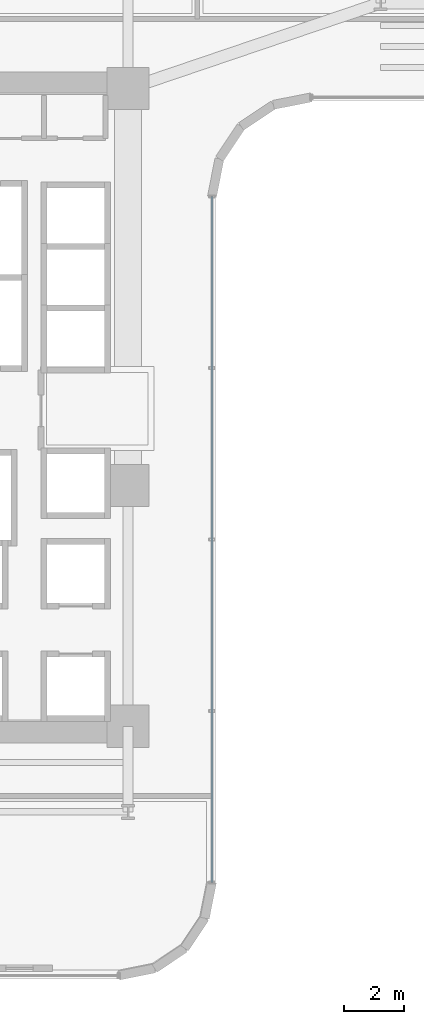
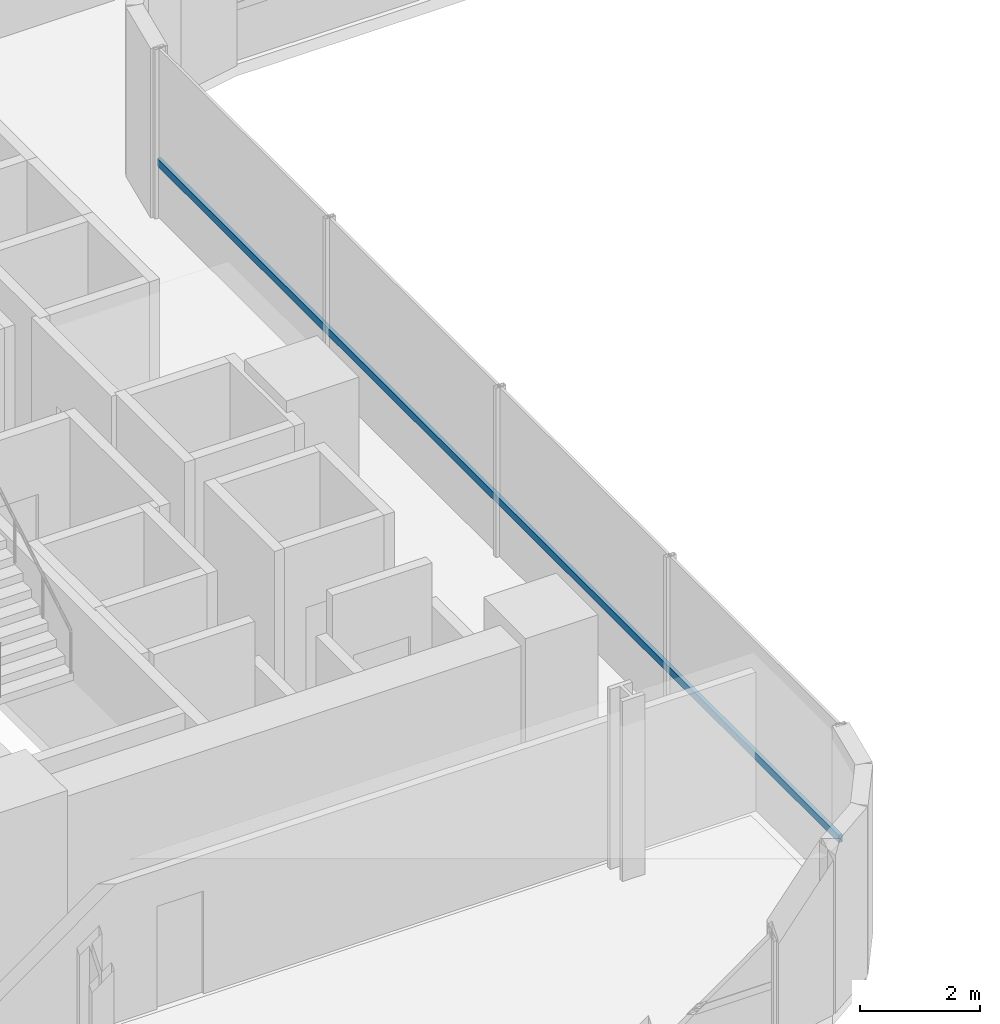
# One storey, part 7 of 39: 1 member, 1 element without a shape of its own.
"""IFC4 building model written with IfcOpenShell, lengths in metres."""

from ifc_helpers import new_model, si_unit, direction, frame, origin, origin_2d, place, context, subcontext, project, spatial, hollow_rectangle, extrude, source, transform, mapped, material, material_profile, profile_set, type_object, element, aggregate, save


model = new_model("IFC4")

# Units and contexts
model_context = context("Model", 3, precision=1e-05, world=origin(), true_north=direction((0.0, 1.0)))
body_context = subcontext(model_context, "Body", "Model", "MODEL_VIEW")
ifc_project = project(units=[si_unit("LENGTHUNIT", "METRE"), si_unit("AREAUNIT", "SQUARE_METRE"), si_unit("VOLUMEUNIT", "CUBIC_METRE"), si_unit("PLANEANGLEUNIT", "RADIAN"), si_unit("MASSUNIT", "GRAM", prefix="KILO")], contexts=[model_context])

# Site, building, storey
site_placement = place(None, origin())
site = spatial("IfcSite", under=ifc_project, at=site_placement, CompositionType="ELEMENT")
building_placement = place(site_placement, origin())
building = spatial("IfcBuilding", under=site, at=building_placement, Name="Valdorenza Pilgrim Sanctuary Tower", CompositionType="ELEMENT")
storey_placement = place(building_placement, frame((0.0, 0.0, 70.39990234375)))
storey = spatial("IfcBuildingStorey", under=building, at=storey_placement, Name="L17", CompositionType="ELEMENT", Elevation=70.39990234375)

# Curtain wall, member
ifc_material_1 = material(Name="Curtain-wall IGU glazing", Category="glass")
curtain_wall_type = type_object("IfcCurtainWallType", Name="CW-SYS-02", PredefinedType="NOTDEFINED", material=ifc_material_1)
curtain_wall_placement = place(storey_placement, origin())
curtain_wall = element("IfcCurtainWall", 1, at=curtain_wall_placement, inside=storey, type_object=curtain_wall_type, Name="L17 Curtain Wall CW-L17-1-41", PredefinedType="NOTDEFINED")
ifc_material_2 = material(Name="Anodised aluminium AW-6060", Category="aluminium")
ifc_material_profile = material_profile(ifc_material_2, hollow_rectangle(XDim=0.074951171875, YDim=0.14990234375, WallThickness=0.00390625, at=origin_2d()), Name="ALU-T 150x75x4")
ifc_profile_set = profile_set([ifc_material_profile], Name="Anodised aluminium AW-6060")
member_type = type_object("IfcMemberType", Name="CW-TRN-02", PredefinedType="USERDEFINED", material=ifc_profile_set)
shared_shape = source(origin(), body_context, "Body", "SweptSolid", [
    extrude(hollow_rectangle(XDim=0.074951171875, YDim=0.14990234375, WallThickness=0.00390625, at=origin_2d()), origin(), (0.0, 0.0, 1.0), 22.800048828125),
])
member_placement = place(storey_placement, frame((-9.610107421875, 7.0107421875, 1.1201171875), z_axis=(0.0, -1.0, 0.0), x_axis=(1.0, 0.0, 0.0)))
member = element("IfcMember", 2, at=member_placement, type_object=member_type, Name="CW-L17-1-41 Transom 1", ObjectType="TRANSOM", PredefinedType="USERDEFINED", context=body_context, shape_type="MappedRepresentation", body=[
    mapped(shared_shape, transform((0.0, 0.0, 0.0), x_axis=(1.0, 0.0, 0.0), y_axis=(0.0, 1.0, 0.0), z_axis=(0.0, 0.0, 1.0), scale=1.0)),
])
aggregate(curtain_wall, [member])

save(model, "model.ifc")
